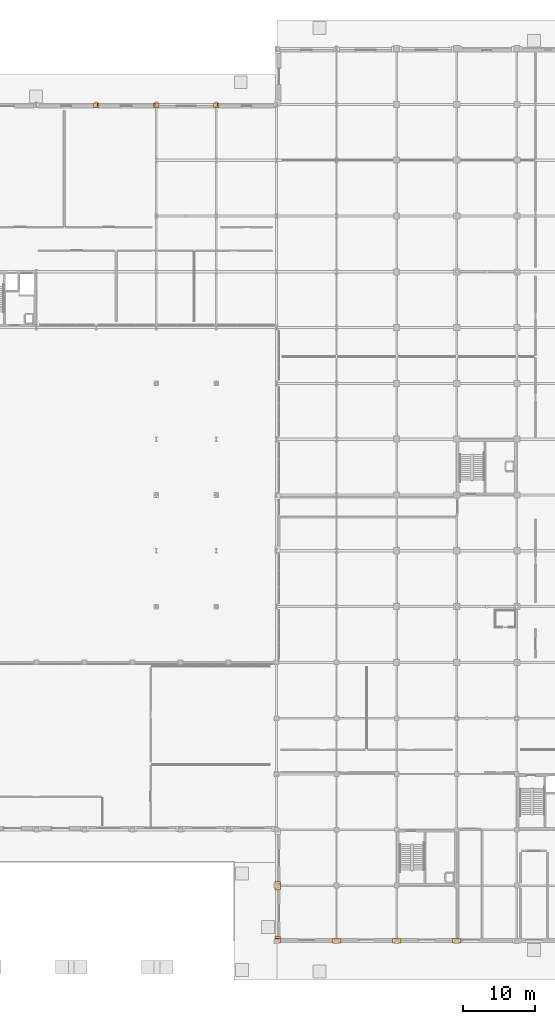
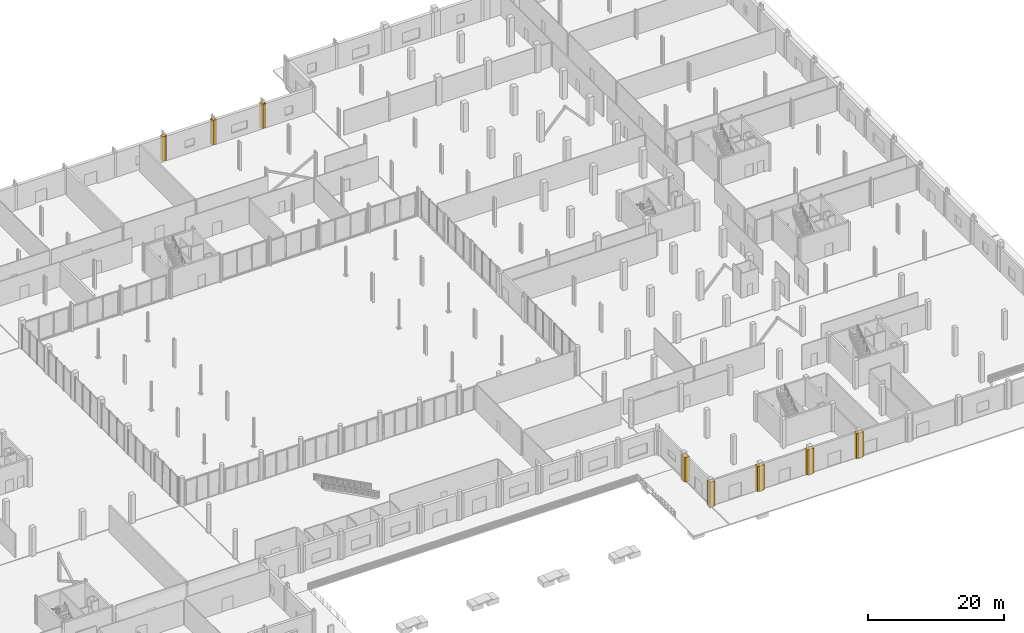
# One storey, part 74 of 80: 16 coverings.
"""IFC4 building model written with IfcOpenShell, lengths in metres."""

from ifc_helpers import new_model, si_unit, direction, origin, place, context, subcontext, project, spatial, polyline, outline, extrude, material, layer, layer_set, type_object, element, save


model = new_model("IFC4")

# Units and contexts
model_context = context("Model", 3, precision=1e-05, world=origin(), true_north=direction((0.0, 1.0)))
body_context = subcontext(model_context, "Body", "Model", "MODEL_VIEW")
ifc_project = project(units=[si_unit("LENGTHUNIT", "METRE"), si_unit("AREAUNIT", "SQUARE_METRE"), si_unit("VOLUMEUNIT", "CUBIC_METRE"), si_unit("PLANEANGLEUNIT", "RADIAN"), si_unit("MASSUNIT", "GRAM", prefix="KILO")], contexts=[model_context])

# Site, building, storey
site_placement = place(None, origin())
site = spatial("IfcSite", under=ifc_project, at=site_placement, CompositionType="ELEMENT")
building_placement = place(site_placement, origin())
building = spatial("IfcBuilding", under=site, at=building_placement, Name="Nabrawat Pavilion Hospital", CompositionType="ELEMENT")
storey_placement = place(building_placement, origin())
storey = spatial("IfcBuildingStorey", under=building, at=storey_placement, Name="L00", CompositionType="ELEMENT", Elevation=0.0)

# Coverings
ifc_material = material(Name="Precast concrete C40/50", Category="concrete")
ifc_layer = layer(ifc_material, 0.360107421875, Name="Precast concrete C40/50")
ifc_layer_set = layer_set([ifc_layer], Name="Precast concrete C40/50")
covering_type = type_object("IfcCoveringType", Name="Architectural Precast Column-Jamb Closure Reveal", PredefinedType="CLADDING", material=ifc_layer_set)
covering_1_placement = place(storey_placement, origin())
element("IfcCovering", 1, at=covering_1_placement, inside=storey, type_object=covering_type, Name="L00 Precast Facade Column-Jamb Weatherseal Closure 0092", PredefinedType="CLADDING", context=body_context, shape_type="SweptSolid", body=[
    extrude(outline(polyline([(100.97998046875, 116.5849609375), (100.97998046875, 117.195068359375), (100.419921875, 117.195068359375), (100.419921875, 116.5849609375), (100.97998046875, 116.5849609375)])), origin(), (0.0, 0.0, 1.0), 4.409912109375),
])
covering_2_placement = place(storey_placement, origin())
element("IfcCovering", 2, at=covering_2_placement, inside=storey, type_object=covering_type, Name="L00 Precast Facade Column-Jamb Weatherseal Closure 0093", PredefinedType="CLADDING", context=body_context, shape_type="SweptSolid", body=[
    extrude(outline(polyline([(101.179931640625, 116.5849609375), (101.179931640625, 117.195068359375), (100.6201171875, 117.195068359375), (100.6201171875, 116.5849609375), (101.179931640625, 116.5849609375)])), origin(), (0.0, 0.0, 1.0), 4.39990234375),
])
covering_3_placement = place(storey_placement, origin())
element("IfcCovering", 3, at=covering_3_placement, inside=storey, type_object=covering_type, Name="L00 Precast Facade Column-Jamb Weatherseal Closure 0094", PredefinedType="CLADDING", context=body_context, shape_type="SweptSolid", body=[
    extrude(outline(polyline([(109.3798828125, 116.5849609375), (109.3798828125, 117.195068359375), (108.820068359375, 117.195068359375), (108.820068359375, 116.5849609375), (109.3798828125, 116.5849609375)])), origin(), (0.0, 0.0, 1.0), 4.39990234375),
])
covering_4_placement = place(storey_placement, origin())
element("IfcCovering", 4, at=covering_4_placement, inside=storey, type_object=covering_type, Name="L00 Precast Facade Column-Jamb Weatherseal Closure 0095", PredefinedType="CLADDING", context=body_context, shape_type="SweptSolid", body=[
    extrude(outline(polyline([(109.580078125, 116.5849609375), (109.580078125, 117.195068359375), (109.02001953125, 117.195068359375), (109.02001953125, 116.5849609375), (109.580078125, 116.5849609375)])), origin(), (0.0, 0.0, 1.0), 4.39990234375),
])
covering_5_placement = place(storey_placement, origin())
element("IfcCovering", 5, at=covering_5_placement, inside=storey, type_object=covering_type, Name="L00 Precast Facade Column-Jamb Weatherseal Closure 0096", PredefinedType="CLADDING", context=body_context, shape_type="SweptSolid", body=[
    extrude(outline(polyline([(117.780029296875, 116.5849609375), (117.780029296875, 117.195068359375), (117.219970703125, 117.195068359375), (117.219970703125, 116.5849609375), (117.780029296875, 116.5849609375)])), origin(), (0.0, 0.0, 1.0), 4.39990234375),
])
covering_6_placement = place(storey_placement, origin())
element("IfcCovering", 6, at=covering_6_placement, inside=storey, type_object=covering_type, Name="L00 Precast Facade Column-Jamb Weatherseal Closure 0097", PredefinedType="CLADDING", context=body_context, shape_type="SweptSolid", body=[
    extrude(outline(polyline([(117.97998046875, 116.5849609375), (117.97998046875, 117.195068359375), (117.419921875, 117.195068359375), (117.419921875, 116.5849609375), (117.97998046875, 116.5849609375)])), origin(), (0.0, 0.0, 1.0), 4.330078125),
])
covering_7_placement = place(storey_placement, origin())
element("IfcCovering", 7, at=covering_7_placement, inside=storey, type_object=covering_type, Name="L00 Precast Facade Column-Jamb Weatherseal Closure 0099", PredefinedType="CLADDING", context=body_context, shape_type="SweptSolid", body=[
    extrude(outline(polyline([(126.55126953125, -0.211181640625), (126.55126953125, 0.651123046875), (125.788818359375, 0.651123046875), (125.788818359375, -0.211181640625), (126.55126953125, -0.211181640625)])), origin(), (0.0, 0.0, 1.0), 4.35009765625),
])
covering_8_placement = place(storey_placement, origin())
element("IfcCovering", 8, at=covering_8_placement, inside=storey, type_object=covering_type, Name="L00 Precast Facade Column-Jamb Weatherseal Closure 0100", PredefinedType="CLADDING", context=body_context, shape_type="SweptSolid", body=[
    extrude(outline(polyline([(126.55126953125, 7.2138671875), (126.55126953125, 8.01123046875), (125.788818359375, 8.01123046875), (125.788818359375, 7.2138671875), (126.55126953125, 7.2138671875)])), origin(), (0.0, 0.0, 1.0), 4.35009765625),
])
covering_9_placement = place(storey_placement, origin())
element("IfcCovering", 9, at=covering_9_placement, inside=storey, type_object=covering_type, Name="L00 Precast Facade Column-Jamb Weatherseal Closure 0101", PredefinedType="CLADDING", context=body_context, shape_type="SweptSolid", body=[
    extrude(outline(polyline([(126.55126953125, 7.5888671875), (126.55126953125, 8.38623046875), (125.788818359375, 8.38623046875), (125.788818359375, 7.5888671875), (126.55126953125, 7.5888671875)])), origin(), (0.0, 0.0, 1.0), 4.35009765625),
])
covering_10_placement = place(storey_placement, origin())
element("IfcCovering", 10, at=covering_10_placement, inside=storey, type_object=covering_type, Name="L00 Precast Facade Column-Jamb Weatherseal Closure 0103", PredefinedType="CLADDING", context=body_context, shape_type="SweptSolid", body=[
    extrude(outline(polyline([(126.586181640625, -0.211181640625), (126.586181640625, 0.431396484375), (125.788818359375, 0.431396484375), (125.788818359375, -0.211181640625), (126.586181640625, -0.211181640625)])), origin(), (0.0, 0.0, 1.0), 4.4599609375),
])
covering_11_placement = place(storey_placement, origin())
element("IfcCovering", 11, at=covering_11_placement, inside=storey, type_object=covering_type, Name="L00 Precast Facade Column-Jamb Weatherseal Closure 0104", PredefinedType="CLADDING", context=body_context, shape_type="SweptSolid", body=[
    extrude(outline(polyline([(134.611328125, -0.211181640625), (134.611328125, 0.431396484375), (133.813720703125, 0.431396484375), (133.813720703125, -0.211181640625), (134.611328125, -0.211181640625)])), origin(), (0.0, 0.0, 1.0), 4.4599609375),
])
covering_12_placement = place(storey_placement, origin())
element("IfcCovering", 12, at=covering_12_placement, inside=storey, type_object=covering_type, Name="L00 Precast Facade Column-Jamb Weatherseal Closure 0105", PredefinedType="CLADDING", context=body_context, shape_type="SweptSolid", body=[
    extrude(outline(polyline([(134.986328125, -0.211181640625), (134.986328125, 0.431396484375), (134.188720703125, 0.431396484375), (134.188720703125, -0.211181640625), (134.986328125, -0.211181640625)])), origin(), (0.0, 0.0, 1.0), 4.4599609375),
])
covering_13_placement = place(storey_placement, origin())
element("IfcCovering", 13, at=covering_13_placement, inside=storey, type_object=covering_type, Name="L00 Precast Facade Column-Jamb Weatherseal Closure 0106", PredefinedType="CLADDING", context=body_context, shape_type="SweptSolid", body=[
    extrude(outline(polyline([(143.01123046875, -0.211181640625), (143.01123046875, 0.431396484375), (142.2138671875, 0.431396484375), (142.2138671875, -0.211181640625), (143.01123046875, -0.211181640625)])), origin(), (0.0, 0.0, 1.0), 4.4599609375),
])
covering_14_placement = place(storey_placement, origin())
element("IfcCovering", 14, at=covering_14_placement, inside=storey, type_object=covering_type, Name="L00 Precast Facade Column-Jamb Weatherseal Closure 0107", PredefinedType="CLADDING", context=body_context, shape_type="SweptSolid", body=[
    extrude(outline(polyline([(143.38623046875, -0.211181640625), (143.38623046875, 0.431396484375), (142.5888671875, 0.431396484375), (142.5888671875, -0.211181640625), (143.38623046875, -0.211181640625)])), origin(), (0.0, 0.0, 1.0), 4.4599609375),
])
covering_15_placement = place(storey_placement, origin())
element("IfcCovering", 15, at=covering_15_placement, inside=storey, type_object=covering_type, Name="L00 Precast Facade Column-Jamb Weatherseal Closure 0108", PredefinedType="CLADDING", context=body_context, shape_type="SweptSolid", body=[
    extrude(outline(polyline([(151.4111328125, -0.211181640625), (151.4111328125, 0.431396484375), (150.61376953125, 0.431396484375), (150.61376953125, -0.211181640625), (151.4111328125, -0.211181640625)])), origin(), (0.0, 0.0, 1.0), 4.4599609375),
])
covering_16_placement = place(storey_placement, origin())
element("IfcCovering", 16, at=covering_16_placement, inside=storey, type_object=covering_type, Name="L00 Precast Facade Column-Jamb Weatherseal Closure 0109", PredefinedType="CLADDING", context=body_context, shape_type="SweptSolid", body=[
    extrude(outline(polyline([(151.7861328125, -0.211181640625), (151.7861328125, 0.431396484375), (150.98876953125, 0.431396484375), (150.98876953125, -0.211181640625), (151.7861328125, -0.211181640625)])), origin(), (0.0, 0.0, 1.0), 4.4599609375),
])

save(model, "model.ifc")
